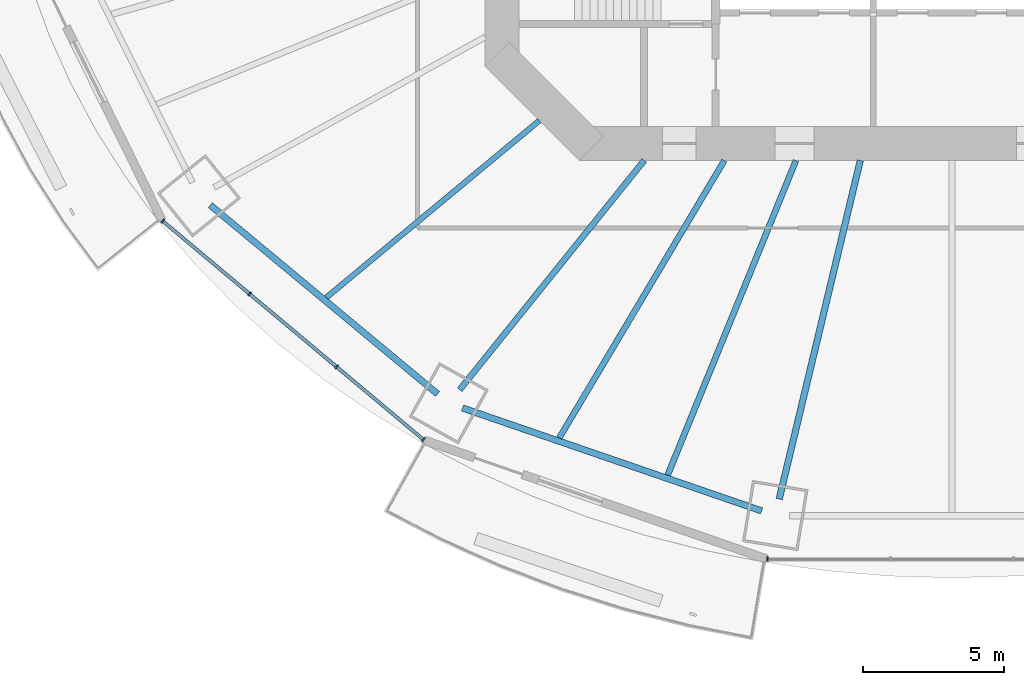
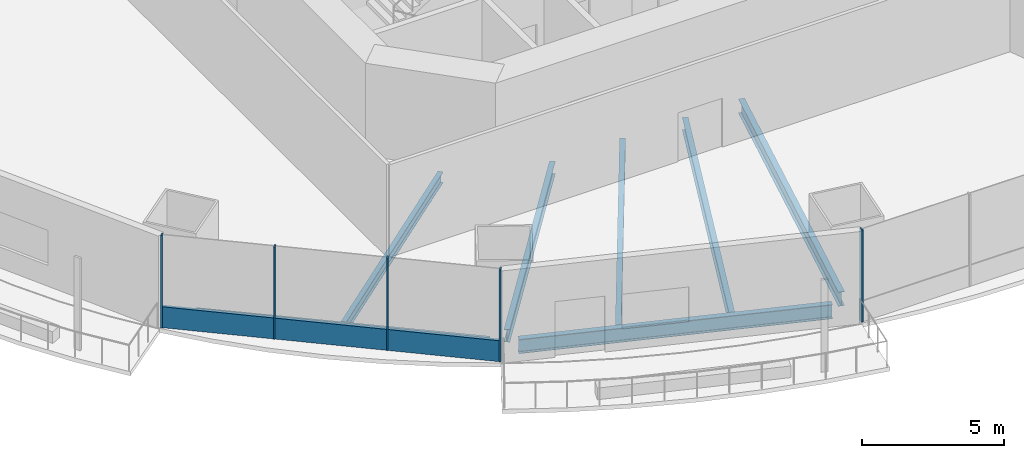
# One storey, part 2 of 21: 7 beams, 6 members, 2 elements without a shape of their own.
"""IFC4 building model written with IfcOpenShell, lengths in metres."""

from ifc_helpers import new_model, si_unit, direction, frame, origin, origin_2d, place, context, subcontext, project, spatial, rectangle, i_section, extrude, material, material_profile, profile_set, type_object, element, aggregate, save


model = new_model("IFC4")

# Units and contexts
model_context = context("Model", 3, precision=1e-05, world=origin(), true_north=direction((0.0, 1.0)))
body_context = subcontext(model_context, "Body", "Model", "MODEL_VIEW")
ifc_project = project(units=[si_unit("LENGTHUNIT", "METRE"), si_unit("AREAUNIT", "SQUARE_METRE"), si_unit("VOLUMEUNIT", "CUBIC_METRE"), si_unit("PLANEANGLEUNIT", "RADIAN"), si_unit("MASSUNIT", "GRAM", prefix="KILO")], contexts=[model_context])

# Site, building, storey
site_placement = place(None, origin())
site = spatial("IfcSite", under=ifc_project, at=site_placement, CompositionType="ELEMENT")
building_placement = place(site_placement, origin())
building = spatial("IfcBuilding", under=site, at=building_placement, Name="Marenthal Gate Tower", CompositionType="ELEMENT")
storey_placement = place(building_placement, frame((0.0, 0.0, 128.449951171875)))
storey = spatial("IfcBuildingStorey", under=building, at=storey_placement, Name="L27", CompositionType="ELEMENT", Elevation=128.449951171875)

# Curtain wall, members
ifc_material_1 = material(Name="Aluminium and glass", Category="aluminium")
curtain_wall_type = type_object("IfcCurtainWallType", Name="Curtain wall typical low", PredefinedType="NOTDEFINED", material=ifc_material_1)
curtain_wall_1_placement = place(storey_placement, origin())
curtain_wall_1 = element("IfcCurtainWall", 1, at=curtain_wall_1_placement, inside=storey, type_object=curtain_wall_type, Name="Curtain wall L27 bay 10", PredefinedType="NOTDEFINED")
ifc_material_2 = material(Name="Aluminium", Category="aluminium")
ifc_material_profile_1 = material_profile(ifc_material_2, rectangle(XDim=0.159912109375, YDim=0.06005859375, at=origin_2d()), Name="60x160 aluminium mullion")
ifc_profile_set_1 = profile_set([ifc_material_profile_1], Name="Aluminium")
member_type_1 = type_object("IfcMemberType", Name="Mullion 60x160 typical low", PredefinedType="MULLION", material=ifc_profile_set_1)
member_1_placement = place(storey_placement, frame((-28.0673828125, -15.754150390625, 0.0), z_axis=(0.0, 0.0, 1.0), x_axis=(0.642437868504, 0.766337774817, 0.0)))
member_1 = element("IfcMember", 2, at=member_1_placement, type_object=member_type_1, Name="Mullion L27 bay 10.1", PredefinedType="MULLION", context=body_context, shape_type="SweptSolid", body=[
    extrude(rectangle(XDim=0.159912109375, YDim=0.06005859375, at=origin_2d()), origin(), (0.0, 0.0, 1.0), 3.969970703125),
])
member_2_placement = place(storey_placement, frame((-24.975830078125, -18.345947265625, 0.0), z_axis=(0.0, 0.0, 1.0), x_axis=(0.642437868504, 0.766337774817, 0.0)))
member_2 = element("IfcMember", 3, at=member_2_placement, type_object=member_type_1, Name="Mullion L27 bay 10.2", PredefinedType="MULLION", context=body_context, shape_type="SweptSolid", body=[
    extrude(rectangle(XDim=0.159912109375, YDim=0.06005859375, at=origin_2d()), origin(), (0.0, 0.0, 1.0), 3.969970703125),
])
member_3_placement = place(storey_placement, frame((-21.884033203125, -20.937744140625, 0.0), z_axis=(0.0, 0.0, 1.0), x_axis=(0.642437868504, 0.766337774817, 0.0)))
member_3 = element("IfcMember", 4, at=member_3_placement, type_object=member_type_1, Name="Mullion L27 bay 10.3", PredefinedType="MULLION", context=body_context, shape_type="SweptSolid", body=[
    extrude(rectangle(XDim=0.159912109375, YDim=0.06005859375, at=origin_2d()), origin(), (0.0, 0.0, 1.0), 3.969970703125),
])
member_4_placement = place(storey_placement, frame((-18.79248046875, -23.529541015625, 0.0), z_axis=(0.0, 0.0, 1.0), x_axis=(0.642437868504, 0.766337774817, 0.0)))
member_4 = element("IfcMember", 5, at=member_4_placement, type_object=member_type_1, Name="Mullion L27 bay 10.4", PredefinedType="MULLION", context=body_context, shape_type="SweptSolid", body=[
    extrude(rectangle(XDim=0.159912109375, YDim=0.06005859375, at=origin_2d()), origin(), (0.0, 0.0, 1.0), 3.969970703125),
])

# Curtain wall, member
curtain_wall_2_placement = place(storey_placement, origin())
curtain_wall_2 = element("IfcCurtainWall", 6, at=curtain_wall_2_placement, inside=storey, type_object=curtain_wall_type, Name="Curtain wall L27 bay 12", PredefinedType="NOTDEFINED")
member_5_placement = place(storey_placement, frame((-6.560791015625, -27.77783203125, 0.0), z_axis=(0.0, 0.0, 1.0), x_axis=(0.0, 1.0, 0.0)))
member_5 = element("IfcMember", 7, at=member_5_placement, type_object=member_type_1, Name="Mullion L27 bay 12.1", PredefinedType="MULLION", context=body_context, shape_type="SweptSolid", body=[
    extrude(rectangle(XDim=0.159912109375, YDim=0.06005859375, at=origin_2d()), origin(), (0.0, 0.0, 1.0), 3.969970703125),
])
aggregate(curtain_wall_2, [member_5])

# Member
ifc_material_3 = material(Name="Aluminium", Category="aluminium")
ifc_material_profile_2 = material_profile(ifc_material_3, rectangle(XDim=0.1201171875, YDim=0.89990234375, at=origin_2d()), Name="120x900 aluminium transom")
ifc_profile_set_2 = profile_set([ifc_material_profile_2], Name="Aluminium")
member_type_2 = type_object("IfcMemberType", Name="Transom 120x900 typical low", PredefinedType="USERDEFINED", material=ifc_profile_set_2)
member_6_placement = place(storey_placement, frame((-28.04443359375, -15.7734375, 0.449951171875), z_axis=(0.766340278264, -0.642434882233, 0.0), x_axis=(0.642434882233, 0.766340278264, 0.0)))
member_6 = element("IfcMember", 8, at=member_6_placement, type_object=member_type_2, Name="Transom L27 bay 10", ObjectType="TRANSOM", PredefinedType="USERDEFINED", context=body_context, shape_type="SweptSolid", body=[
    extrude(rectangle(XDim=0.1201171875, YDim=0.89990234375, at=origin_2d()), origin(), (0.0, 0.0, 1.0), 12.04296875),
])

aggregate(curtain_wall_1, [member_1, member_2, member_3, member_4, member_6])

# Beams
ifc_material_4 = material(Name="Steel S355", Category="steel")
ifc_material_profile_3 = material_profile(ifc_material_4, i_section(OverallWidth=0.193115234375, OverallDepth=0.467041015625, WebThickness=0.011474609375, FlangeThickness=0.01904296875, FilletRadius=0.010009765625, at=origin_2d()), Name="W460X97")
ifc_profile_set_3 = profile_set([ifc_material_profile_3], Name="Steel S355")
beam_type_1 = type_object("IfcBeamType", Name="W460X97 beam", PredefinedType="BEAM", material=ifc_profile_set_3)
beam_1_placement = place(storey_placement, frame((-22.244384765625, -18.4716796875, -0.413330078125), z_axis=(0.7693296468, 0.638852013031, 0.0), x_axis=(-0.638852013031, 0.7693296468, 0.0)))
element("IfcBeam", 9, at=beam_1_placement, inside=storey, type_object=beam_type_1, Name="BM-L27-31", PredefinedType="BEAM", context=body_context, shape_type="SweptSolid", body=[
    extrude(i_section(OverallWidth=0.193115234375, OverallDepth=0.467041015625, WebThickness=0.011474609375, FlangeThickness=0.01904296875, FilletRadius=0.010009765625, at=origin_2d()), origin(), (0.0, 0.0, 1.0), 9.84765625),
])
ifc_material_5 = material(Name="Steel S355", Category="steel")
ifc_material_profile_4 = material_profile(ifc_material_5, i_section(OverallWidth=0.2099609375, OverallDepth=0.535888671875, WebThickness=0.010986328125, FlangeThickness=0.017333984375, FilletRadius=0.0126953125, at=origin_2d()), Name="W530X101")
ifc_profile_set_4 = profile_set([ifc_material_profile_4], Name="Steel S355")
beam_type_2 = type_object("IfcBeamType", Name="W530X101 beam", PredefinedType="BEAM", material=ifc_profile_set_4)
beam_2_placement = place(storey_placement, frame((-13.962158203125, -23.4658203125, -0.447998046875), z_axis=(0.51133355271, 0.859382335095, 0.0), x_axis=(-0.859382335095, 0.51133355271, 0.0)))
element("IfcBeam", 10, at=beam_2_placement, inside=storey, type_object=beam_type_2, Name="BM-L27-32", PredefinedType="BEAM", context=body_context, shape_type="SweptSolid", body=[
    extrude(i_section(OverallWidth=0.2099609375, OverallDepth=0.535888671875, WebThickness=0.010986328125, FlangeThickness=0.017333984375, FilletRadius=0.0126953125, at=origin_2d()), origin(), (0.0, 0.0, 1.0), 11.47998046875),
])
ifc_material_6 = material(Name="Steel S355", Category="steel")
ifc_material_profile_5 = material_profile(ifc_material_6, i_section(OverallWidth=0.2119140625, OverallDepth=0.5439453125, WebThickness=0.01318359375, FlangeThickness=0.021240234375, FilletRadius=0.0126953125, at=origin_2d()), Name="W530X123")
ifc_profile_set_5 = profile_set([ifc_material_profile_5], Name="Steel S355")
beam_type_3 = type_object("IfcBeamType", Name="W530X123 beam", PredefinedType="BEAM", material=ifc_profile_set_5)
beam_3_placement = place(storey_placement, frame((-17.505126953125, -21.755126953125, -0.451904296875), z_axis=(0.626891327439, 0.779106708726, 0.0), x_axis=(-0.779106708726, 0.626891327439, 0.0)))
element("IfcBeam", 11, at=beam_3_placement, inside=storey, type_object=beam_type_3, Name="BM-L27-11", PredefinedType="BEAM", context=body_context, shape_type="SweptSolid", body=[
    extrude(i_section(OverallWidth=0.2119140625, OverallDepth=0.5439453125, WebThickness=0.01318359375, FlangeThickness=0.021240234375, FilletRadius=0.0126953125, at=origin_2d()), origin(), (0.0, 0.0, 1.0), 10.467041015625),
])
beam_4_placement = place(storey_placement, frame((-10.10888671875, -24.791015625, -0.451904296875), z_axis=(0.377578568114, 0.92597755097, 0.0), x_axis=(-0.92597755097, 0.377578568114, 0.0)))
element("IfcBeam", 12, at=beam_4_placement, inside=storey, type_object=beam_type_3, Name="BM-L27-33", PredefinedType="BEAM", context=body_context, shape_type="SweptSolid", body=[
    extrude(i_section(OverallWidth=0.2119140625, OverallDepth=0.5439453125, WebThickness=0.01318359375, FlangeThickness=0.021240234375, FilletRadius=0.0126953125, at=origin_2d()), origin(), (0.0, 0.0, 1.0), 12.08544921875),
])
ifc_material_7 = material(Name="Steel S355", Category="steel")
ifc_material_profile_6 = material_profile(ifc_material_7, i_section(OverallWidth=0.22900390625, OverallDepth=0.612060546875, WebThickness=0.011962890625, FlangeThickness=0.01953125, FilletRadius=0.0126953125, at=origin_2d()), Name="W610X125")
ifc_profile_set_6 = profile_set([ifc_material_profile_6], Name="Steel S355")
beam_type_4 = type_object("IfcBeamType", Name="W610X125 beam", PredefinedType="BEAM", material=ifc_profile_set_6)
beam_5_placement = place(storey_placement, frame((-6.142333984375, -25.641845703125, -0.48583984375), z_axis=(0.232953092767, 0.972487972455, 0.0), x_axis=(-0.972487972455, 0.232953092767, 0.0)))
element("IfcBeam", 13, at=beam_5_placement, inside=storey, type_object=beam_type_4, Name="BM-L27-12", PredefinedType="BEAM", context=body_context, shape_type="SweptSolid", body=[
    extrude(i_section(OverallWidth=0.22900390625, OverallDepth=0.612060546875, WebThickness=0.011962890625, FlangeThickness=0.01953125, FilletRadius=0.0126953125, at=origin_2d()), origin(), (0.0, 0.0, 1.0), 12.38232421875),
])
beam_6_placement = place(storey_placement, frame((-26.376220703125, -15.189697265625, -0.48583984375), z_axis=(0.769335786628, -0.638844619148, 0.0), x_axis=(0.638844619148, 0.769335786628, 0.0)))
element("IfcBeam", 14, at=beam_6_placement, inside=storey, type_object=beam_type_4, Name="BM-L27-50", PredefinedType="BEAM", context=body_context, shape_type="SweptSolid", body=[
    extrude(i_section(OverallWidth=0.22900390625, OverallDepth=0.612060546875, WebThickness=0.011962890625, FlangeThickness=0.01953125, FilletRadius=0.0126953125, at=origin_2d()), origin(), (0.0, 0.0, 1.0), 10.510986328125),
])
beam_7_placement = place(storey_placement, frame((-17.404052734375, -22.40283203125, -0.48583984375), z_axis=(0.945627146872, -0.325252669626, 0.0), x_axis=(0.325252669626, 0.945627146872, 0.0)))
element("IfcBeam", 15, at=beam_7_placement, inside=storey, type_object=beam_type_4, Name="BM-L27-51", PredefinedType="BEAM", context=body_context, shape_type="SweptSolid", body=[
    extrude(i_section(OverallWidth=0.22900390625, OverallDepth=0.612060546875, WebThickness=0.011962890625, FlangeThickness=0.01953125, FilletRadius=0.0126953125, at=origin_2d()), origin(), (0.0, 0.0, 1.0), 11.24658203125),
])

save(model, "model.ifc")
